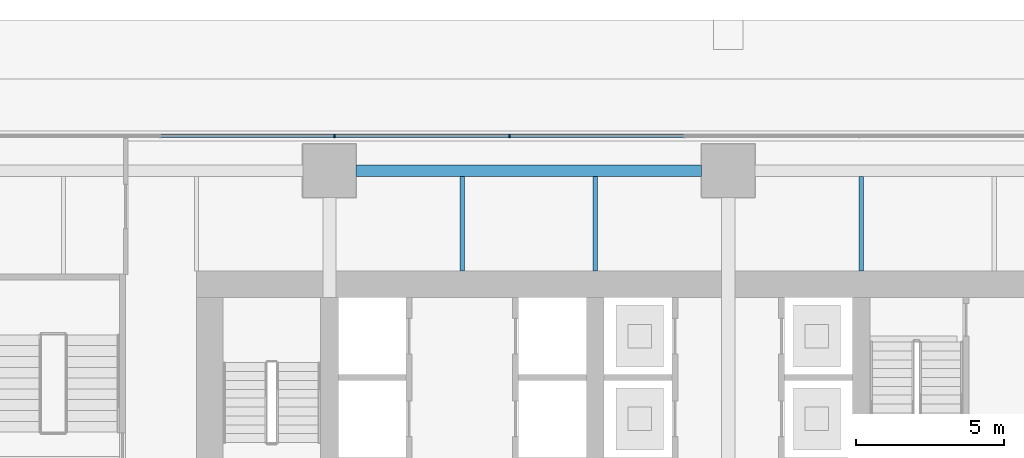
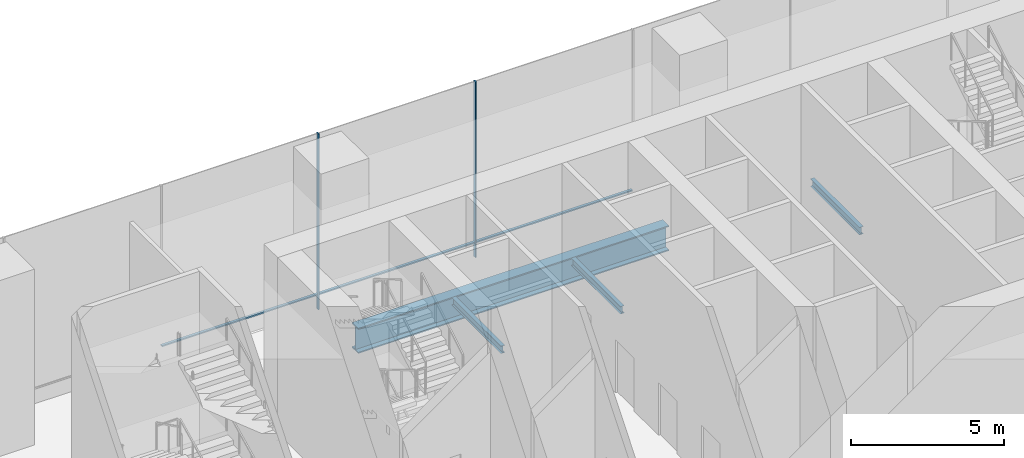
# One storey, part 23 of 41: 5 members, 4 beams, 1 element without a shape of its own.
"""IFC4 building model written with IfcOpenShell, lengths in metres."""

from ifc_helpers import new_model, si_unit, direction, frame, origin, origin_2d, place, context, subcontext, project, spatial, rectangle, i_section, extrude, material, layer, layer_set, material_profile, profile_set, type_object, element, aggregate, save


model = new_model("IFC4")

# Units and contexts
model_context = context("Model", 3, precision=1e-05, world=origin(), true_north=direction((0.0, 1.0)))
body_context = subcontext(model_context, "Body", "Model", "MODEL_VIEW")
ifc_project = project(units=[si_unit("LENGTHUNIT", "METRE"), si_unit("AREAUNIT", "SQUARE_METRE"), si_unit("VOLUMEUNIT", "CUBIC_METRE"), si_unit("PLANEANGLEUNIT", "RADIAN"), si_unit("MASSUNIT", "GRAM", prefix="KILO")], contexts=[model_context])

# Site, building, storey
site_placement = place(None, origin())
site = spatial("IfcSite", under=ifc_project, at=site_placement, CompositionType="ELEMENT")
building_placement = place(site_placement, origin())
building = spatial("IfcBuilding", under=site, at=building_placement, Name="Rattan Terrace Tower", CompositionType="ELEMENT")
storey_placement = place(building_placement, origin())
storey = spatial("IfcBuildingStorey", under=building, at=storey_placement, Name="L00", CompositionType="ELEMENT", Elevation=0.0)

# Beams
ifc_material_1 = material(Name="Steel S355", Category="steel")
ifc_material_profile_1 = material_profile(ifc_material_1, i_section(OverallWidth=0.14990234375, OverallDepth=0.300048828125, WebThickness=0.007080078125, FlangeThickness=0.0107421875, FilletRadius=0.014892578125, at=origin_2d()), Name="IPE 300")
ifc_profile_set_1 = profile_set([ifc_material_profile_1], Name="Steel S355")
beam_type_1 = type_object("IfcBeamType", Name="Frame floor beam IPE 300", PredefinedType="JOIST", material=ifc_profile_set_1)
for number, where, z_axis, x_axis, name in (
    (1, (-9.0, 7.5, -0.35009765625), (0.0, 1.0, 0.0), (-1.0, 0.0, 0.0), "bm-L00-046"),
    (2, (-4.5, 7.5, -0.35009765625), (0.0, 1.0, 0.0), (-1.0, 0.0, 0.0), "bm-L00-047"),
    (3, (4.5, 7.5, -0.35009765625), (0.0, 1.0, 0.0), (-1.0, 0.0, 0.0), "bm-L00-048"),
):
    element("IfcBeam", number, at=place(storey_placement, frame(where, z_axis=z_axis, x_axis=x_axis)), inside=storey, type_object=beam_type_1, Name=name, PredefinedType="JOIST", context=body_context, shape_type="SweptSolid", body=[
        extrude(i_section(OverallWidth=0.14990234375, OverallDepth=0.300048828125, WebThickness=0.007080078125, FlangeThickness=0.0107421875, FilletRadius=0.014892578125, at=origin_2d()), origin(), (0.0, 0.0, 1.0), 3.199951171875),
    ])
ifc_material_2 = material(Name="Steel S460", Category="steel")
ifc_material_profile_2 = material_profile(ifc_material_2, i_section(OverallWidth=0.39990234375, OverallDepth=1.0, WebThickness=0.01806640625, FlangeThickness=0.044921875, at=origin_2d()), Name="PG 1000x400-18-45")
ifc_profile_set_2 = profile_set([ifc_material_profile_2], Name="Steel S460")
beam_type_2 = type_object("IfcBeamType", Name="Frame podium girder PG 1000x400-18-45", PredefinedType="USERDEFINED", material=ifc_profile_set_2)
beam_placement = place(storey_placement, frame((-12.60009765625, 10.89990234375, -0.699951171875), z_axis=(1.0, 0.0, 0.0), x_axis=(0.0, 1.0, 0.0)))
element("IfcBeam", 4, at=beam_placement, inside=storey, type_object=beam_type_2, Name="gdr-L00-048", ObjectType="PODIUM GIRDER", PredefinedType="USERDEFINED", context=body_context, shape_type="SweptSolid", body=[
    extrude(i_section(OverallWidth=0.39990234375, OverallDepth=1.0, WebThickness=0.01806640625, FlangeThickness=0.044921875, at=origin_2d()), origin(), (0.0, 0.0, 1.0), 11.7001953125),
])

# Curtain wall, members
ifc_material_3 = material(Name="Aluminium and glass", Category="aluminium")
ifc_layer = layer(ifc_material_3, 0.1201171875)
ifc_layer_set = layer_set([ifc_layer], Name="Station Storefront Curtain Wall")
curtain_wall_type = type_object("IfcCurtainWallType", Name="Station Storefront Curtain Wall", PredefinedType="NOTDEFINED", material=ifc_layer_set)
curtain_wall_placement = place(storey_placement, origin())
curtain_wall = element("IfcCurtainWall", 5, at=curtain_wall_placement, inside=storey, type_object=curtain_wall_type, Name="Storefront curtain wall L00-5", PredefinedType="NOTDEFINED")
ifc_material_4 = material(Name="Aluminium", Category="aluminium")
ifc_material_profile_3 = material_profile(ifc_material_4, rectangle(XDim=0.050048828125, YDim=0.1201171875, at=origin_2d()), Name="Aluminium 50x120")
ifc_profile_set_3 = profile_set([ifc_material_profile_3], Name="Aluminium")
member_type_1 = type_object("IfcMemberType", Name="Storefront CW Mullion 50x120", PredefinedType="MULLION", material=ifc_profile_set_3)
member_1_placement = place(storey_placement, frame((-7.39990234375, 12.080078125, 0.0), z_axis=(0.0, 0.0, 1.0), x_axis=(-1.0, 0.0, 0.0)))
member_1 = element("IfcMember", 6, at=member_1_placement, type_object=member_type_1, Name="Mullion cwl-L00-005.5", PredefinedType="MULLION", context=body_context, shape_type="SweptSolid", body=[
    extrude(rectangle(XDim=0.050048828125, YDim=0.1201171875, at=origin_2d()), origin(), (0.0, 0.0, 1.0), 7.0),
])
member_2_placement = place(storey_placement, frame((-13.320068359375, 12.080078125, 0.0), z_axis=(0.0, 0.0, 1.0), x_axis=(-1.0, 0.0, 0.0)))
member_2 = element("IfcMember", 7, at=member_2_placement, type_object=member_type_1, Name="Mullion cwl-L00-005.6", PredefinedType="MULLION", context=body_context, shape_type="SweptSolid", body=[
    extrude(rectangle(XDim=0.050048828125, YDim=0.1201171875, at=origin_2d()), origin(), (0.0, 0.0, 1.0), 7.0),
])
ifc_material_5 = material(Name="Aluminium", Category="aluminium")
ifc_material_profile_4 = material_profile(ifc_material_5, rectangle(XDim=0.10009765625, YDim=0.050048828125, at=origin_2d()), Name="Aluminium 100x50")
ifc_profile_set_4 = profile_set([ifc_material_profile_4], Name="Aluminium")
member_type_2 = type_object("IfcMemberType", Name="Storefront CW Transom 100x50", PredefinedType="USERDEFINED", material=ifc_profile_set_4)
member_3_placement = place(storey_placement, frame((-1.5048828125, 12.080078125, 0.60009765625), z_axis=(-1.0, 0.0, 0.0), x_axis=(0.0, -1.0, 0.0)))
member_3 = element("IfcMember", 8, at=member_3_placement, type_object=member_type_2, Name="Transom cwl-L00-005.4", ObjectType="TRANSOM", PredefinedType="USERDEFINED", context=body_context, shape_type="SweptSolid", body=[
    extrude(rectangle(XDim=0.10009765625, YDim=0.050048828125, at=origin_2d()), origin(), (0.0, 0.0, 1.0), 5.8701171875),
])
member_4_placement = place(storey_placement, frame((-7.425048828125, 12.080078125, 0.60009765625), z_axis=(-1.0, 0.0, 0.0), x_axis=(0.0, -1.0, 0.0)))
member_4 = element("IfcMember", 9, at=member_4_placement, type_object=member_type_2, Name="Transom cwl-L00-005.5", ObjectType="TRANSOM", PredefinedType="USERDEFINED", context=body_context, shape_type="SweptSolid", body=[
    extrude(rectangle(XDim=0.10009765625, YDim=0.050048828125, at=origin_2d()), origin(), (0.0, 0.0, 1.0), 5.869873046875),
])
member_5_placement = place(storey_placement, frame((-13.344970703125, 12.080078125, 0.60009765625), z_axis=(-1.0, 0.0, 0.0), x_axis=(0.0, -1.0, 0.0)))
member_5 = element("IfcMember", 10, at=member_5_placement, type_object=member_type_2, Name="Transom cwl-L00-005.6", ObjectType="TRANSOM", PredefinedType="USERDEFINED", context=body_context, shape_type="SweptSolid", body=[
    extrude(rectangle(XDim=0.10009765625, YDim=0.050048828125, at=origin_2d()), origin(), (0.0, 0.0, 1.0), 5.8701171875),
])
aggregate(curtain_wall, [member_1, member_2, member_3, member_4, member_5])

save(model, "model.ifc")
